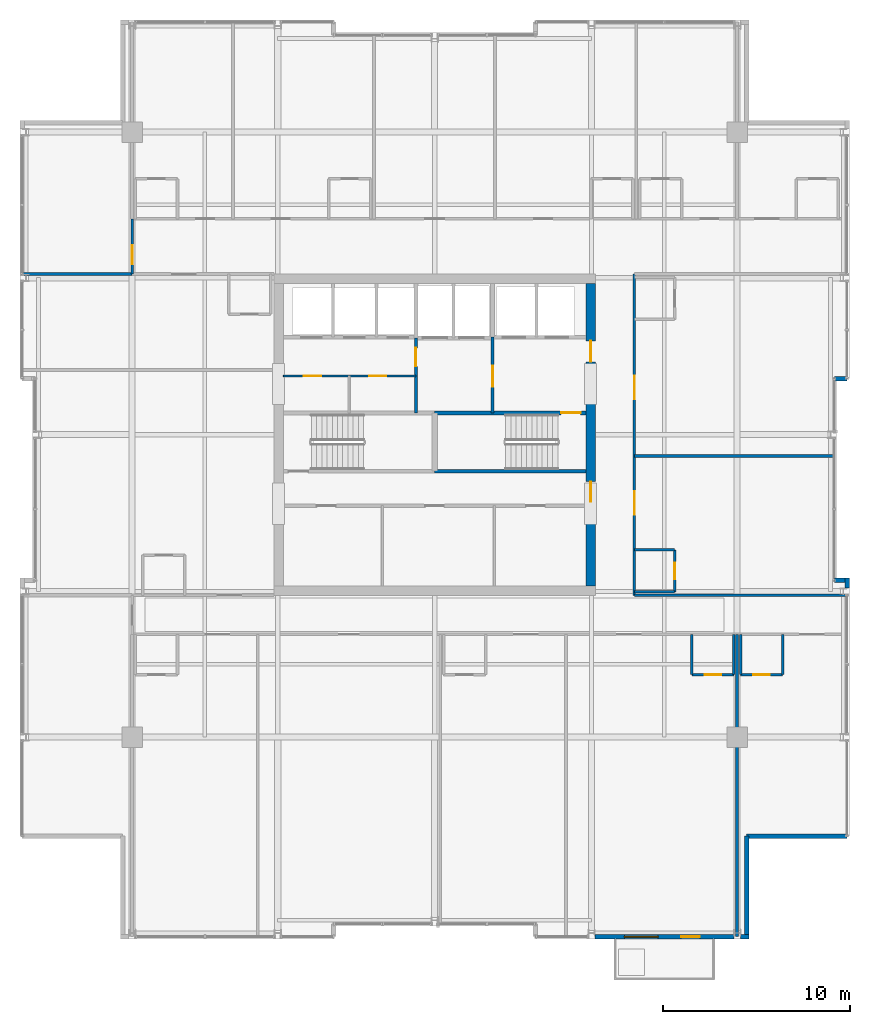
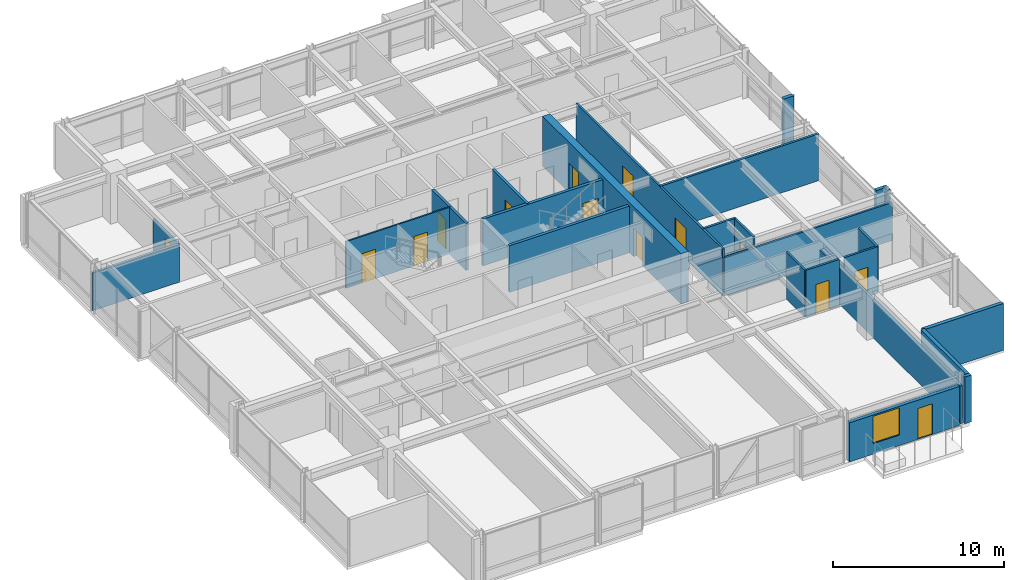
# One storey, part 27 of 32: 28 walls, 14 doors, 1 window, 15 openings.
"""IFC4 building model written with IfcOpenShell, lengths in metres."""

from ifc_helpers import new_model, si_unit, direction, frame, frame_2d, origin, place, context, subcontext, project, spatial, rectangle, extrude, material, layer, layer_set, type_object, element, fill, save


model = new_model("IFC4")

# Units and contexts
model_context = context("Model", 3, precision=1e-05, world=origin(), true_north=direction((0.0, 1.0)))
body_context = subcontext(model_context, "Body", "Model", "MODEL_VIEW")
ifc_project = project(units=[si_unit("LENGTHUNIT", "METRE"), si_unit("AREAUNIT", "SQUARE_METRE"), si_unit("VOLUMEUNIT", "CUBIC_METRE"), si_unit("PLANEANGLEUNIT", "RADIAN"), si_unit("MASSUNIT", "GRAM", prefix="KILO")], contexts=[model_context])

# Site, building, storey
site_placement = place(None, origin())
site = spatial("IfcSite", under=ifc_project, at=site_placement, CompositionType="ELEMENT")
building_placement = place(site_placement, origin())
building = spatial("IfcBuilding", under=site, at=building_placement, Name="Drelvath Grand Hotel", CompositionType="ELEMENT")
storey_placement = place(building_placement, frame((0.0, 0.0, 241.10009765625)))
storey = spatial("IfcBuildingStorey", under=building, at=storey_placement, Name="L63", CompositionType="ELEMENT", Elevation=241.10009765625)

# Wall, openings, doors
ifc_material_1 = material(Name="Gypsum Partition Board")
ifc_layer_1 = layer(ifc_material_1, 0.10009765625)
ifc_layer_set_1 = layer_set([ifc_layer_1], Name="Gypsum Partition Board")
wall_type_1 = type_object("IfcWallType", Name="Core Closet Partition 100", PredefinedType="PARTITIONING", material=ifc_layer_set_1)
wall_1_placement = place(storey_placement, frame((-8.10009765625, 30.139892578125, 0.0), z_axis=(0.0, 0.0, 1.0), x_axis=(1.0, 0.0, 0.0)))
wall_1 = element("IfcWall", 1, at=wall_1_placement, inside=storey, type_object=wall_type_1, Name="L63 High-Rise Lobby Closet Wall", PredefinedType="PARTITIONING", context=body_context, shape_type="SweptSolid", body=[
    extrude(rectangle(XDim=7.10009765625, YDim=0.10009765625, at=frame_2d((3.550048828125, 0.0))), origin(), (0.0, 0.0, 1.0), 3.33984375),
])
opening_1_placement = place(wall_1_placement, frame((1.10009765625, 0.0, 0.0)))
opening_1 = element("IfcOpeningElement", 2, at=opening_1_placement, cuts=wall_1, Name="Opening D-T4G4-013", PredefinedType="OPENING", context=body_context, shape_type="SweptSolid", body=[
    extrude(rectangle(XDim=0.919921875, YDim=2.10009765625, at=frame_2d((0.4599609375, 1.050048828125))), frame((0.0, 0.06005859375, 0.0), z_axis=(0.0, -1.0, 0.0), x_axis=(1.0, 0.0, 0.0)), (0.0, 0.0, 1.0), 0.1201171875),
])
opening_2_placement = place(wall_1_placement, frame((4.60009765625, 0.0, 0.0)))
opening_2 = element("IfcOpeningElement", 3, at=opening_2_placement, cuts=wall_1, Name="Opening D-T4G4-014", PredefinedType="OPENING", context=body_context, shape_type="SweptSolid", body=[
    extrude(rectangle(XDim=0.919921875, YDim=2.10009765625, at=frame_2d((0.4599609375, 1.050048828125))), frame((0.0, 0.06005859375, 0.0), z_axis=(0.0, -1.0, 0.0), x_axis=(1.0, 0.0, 0.0)), (0.0, 0.0, 1.0), 0.1201171875),
])
ifc_material_2 = material(Name="Painted Steel S275", Category="steel")
door_type_1 = type_object("IfcDoorType", Name="Staff Utility Door 920x2100", OperationType="NOTDEFINED", PredefinedType="DOOR", material=ifc_material_2)
door_1_placement = place(opening_1_placement, origin())
door_1 = element("IfcDoor", 4, at=door_1_placement, inside=storey, type_object=door_type_1, Name="L63 Electrical Closet Door", OperationType="SINGLE_SWING_RIGHT", OverallHeight=2.10009765625, OverallWidth=0.919921875, PredefinedType="DOOR", context=body_context, shape_type="SweptSolid", body=[
    extrude(rectangle(XDim=0.919921875, YDim=2.10009765625, at=frame_2d((0.4599609375, 1.050048828125))), frame((0.0, 0.02490234375, 0.0), z_axis=(0.0, -1.0, 0.0), x_axis=(1.0, 0.0, 0.0)), (0.0, 0.0, 1.0), 0.050048828125),
])
fill(opening_1, door_1)
door_2_placement = place(opening_2_placement, origin())
door_2 = element("IfcDoor", 5, at=door_2_placement, inside=storey, type_object=door_type_1, Name="L63 Telecom Room Door", OperationType="SINGLE_SWING_LEFT", OverallHeight=2.10009765625, OverallWidth=0.919921875, PredefinedType="DOOR", context=body_context, shape_type="SweptSolid", body=[
    extrude(rectangle(XDim=0.919921875, YDim=2.10009765625, at=frame_2d((0.4599609375, 1.050048828125))), frame((0.0, 0.02490234375, 0.0), z_axis=(0.0, -1.0, 0.0), x_axis=(1.0, 0.0, 0.0)), (0.0, 0.0, 1.0), 0.050048828125),
])
fill(opening_2, door_2)

# Wall
ifc_material_3 = material(Name="Concrete C40/50", Category="concrete")
ifc_layer_2 = layer(ifc_material_3, 0.199951171875)
ifc_layer_set_2 = layer_set([ifc_layer_2], Name="Concrete C40/50")
wall_type_2 = type_object("IfcWallType", Name="Core Shaft Fire Wall 200", PredefinedType="SOLIDWALL", material=ifc_layer_set_2)
wall_2_placement = place(storey_placement, frame((0.0, 25.0400390625, 0.0), z_axis=(0.0, 0.0, 1.0), x_axis=(1.0, 0.0, 0.0)))
element("IfcWall", 6, at=wall_2_placement, inside=storey, type_object=wall_type_2, Name="L63 Stair ST-2 South Wall", PredefinedType="SOLIDWALL", context=body_context, shape_type="SweptSolid", body=[
    extrude(rectangle(XDim=8.10009765625, YDim=0.199951171875, at=frame_2d((4.050048828125, 0.0))), origin(), (0.0, 0.0, 1.0), 3.33984375),
])

# Wall, opening, door
wall_3_placement = place(storey_placement, frame((8.10009765625, 28.159912109375, 0.0), z_axis=(0.0, 0.0, 1.0), x_axis=(-1.0, 0.0, 0.0)))
wall_3 = element("IfcWall", 7, at=wall_3_placement, inside=storey, type_object=wall_type_2, Name="L63 Stair ST-2 North Wall", PredefinedType="SOLIDWALL", context=body_context, shape_type="SweptSolid", body=[
    extrude(rectangle(XDim=8.10009765625, YDim=0.199951171875, at=frame_2d((4.050048828125, 0.0))), origin(), (0.0, 0.0, 1.0), 3.33984375),
])
opening_3_placement = place(wall_3_placement, frame((0.280029296875, 0.0, 0.0)))
opening_3 = element("IfcOpeningElement", 8, at=opening_3_placement, cuts=wall_3, Name="Opening D-T4G4-002", PredefinedType="OPENING", context=body_context, shape_type="SweptSolid", body=[
    extrude(rectangle(XDim=1.050048828125, YDim=2.10009765625, at=frame_2d((0.52490234375, 1.050048828125))), frame((0.0, 0.10986328125, 0.0), z_axis=(0.0, -1.0, 0.0), x_axis=(1.0, 0.0, 0.0)), (0.0, 0.0, 1.0), 0.219970703125),
])
door_type_2 = type_object("IfcDoorType", Name="Tower Stairwell Fire Door 1050x2100", OperationType="NOTDEFINED", PredefinedType="DOOR", material=ifc_material_2)
door_3_placement = place(opening_3_placement, origin())
door_3 = element("IfcDoor", 9, at=door_3_placement, inside=storey, type_object=door_type_2, Name="L63 Exit Stair ST-2 Door", OperationType="SINGLE_SWING_LEFT", OverallHeight=2.10009765625, OverallWidth=1.050048828125, PredefinedType="DOOR", context=body_context, shape_type="SweptSolid", body=[
    extrude(rectangle(XDim=1.050048828125, YDim=2.10009765625, at=frame_2d((0.52490234375, 1.050048828125))), frame((0.0, 0.02490234375, 0.0), z_axis=(0.0, -1.0, 0.0), x_axis=(1.0, 0.0, 0.0)), (0.0, 0.0, 1.0), 0.050048828125),
])
fill(opening_3, door_3)

# Wall
ifc_material_4 = material(Name="Gypsum Fireboard Partition")
ifc_layer_3 = layer(ifc_material_4, 0.135009765625)
ifc_layer_set_3 = layer_set([ifc_layer_3], Name="Gypsum Fireboard Partition")
wall_type_3 = type_object("IfcWallType", Name="Corridor Fire Barrier Wall 135", PredefinedType="PARTITIONING", material=ifc_layer_set_3)
wall_4_placement = place(storey_placement, frame((10.699951171875, 18.39990234375, 0.0), z_axis=(0.0, 0.0, 1.0), x_axis=(1.0, 0.0, 0.0)))
element("IfcWall", 10, at=wall_4_placement, inside=storey, type_object=wall_type_3, Name="L63 South Gallery Inner East Wall", PredefinedType="PARTITIONING", context=body_context, shape_type="SweptSolid", body=[
    extrude(rectangle(XDim=11.380126953125, YDim=0.135009765625, at=frame_2d((5.68994140625, 0.0))), origin(), (0.0, 0.0, 1.0), 2.71728515625),
])

# Wall, openings, doors
wall_5_placement = place(storey_placement, frame((10.699951171875, 18.39990234375, 0.0), z_axis=(0.0, 0.0, 1.0), x_axis=(0.0, 1.0, 0.0)))
wall_5 = element("IfcWall", 11, at=wall_5_placement, inside=storey, type_object=wall_type_3, Name="L63 East Gallery Link Wall", PredefinedType="PARTITIONING", context=body_context, shape_type="SweptSolid", body=[
    extrude(rectangle(XDim=17.2001953125, YDim=0.135009765625, at=frame_2d((8.60009765625, 0.0))), origin(), (0.0, 0.0, 1.0), 3.33984375),
])
opening_4_placement = place(wall_5_placement, frame((4.311767578125, 0.0, 0.0)))
opening_4 = element("IfcOpeningElement", 12, at=opening_4_placement, cuts=wall_5, Name="Opening D-T4G4-042", PredefinedType="OPENING", context=body_context, shape_type="SweptSolid", body=[
    extrude(rectangle(XDim=1.260009765625, YDim=2.199951171875, at=frame_2d((0.6298828125, 1.10009765625))), frame((0.0, 0.077392578125, 0.0), z_axis=(0.0, -1.0, 0.0), x_axis=(1.0, 0.0, 0.0)), (0.0, 0.0, 1.0), 0.155029296875),
])
opening_5_placement = place(wall_5_placement, frame((10.481689453125, 0.0, 0.0)))
opening_5 = element("IfcOpeningElement", 13, at=opening_5_placement, cuts=wall_5, Name="Opening D-T4G4-044", PredefinedType="OPENING", context=body_context, shape_type="SweptSolid", body=[
    extrude(rectangle(XDim=1.260009765625, YDim=2.199951171875, at=frame_2d((0.6298828125, 1.10009765625))), frame((0.0, 0.077392578125, 0.0), z_axis=(0.0, -1.0, 0.0), x_axis=(1.0, 0.0, 0.0)), (0.0, 0.0, 1.0), 0.155029296875),
])
ifc_material_5 = material(Name="Hardwood Walnut Timber", Category="wood")
door_type_3 = type_object("IfcDoorType", Name="Suite Entrance Fire Door 1260x2200", OperationType="NOTDEFINED", PredefinedType="DOOR", material=ifc_material_5)
door_4_placement = place(opening_4_placement, origin())
door_4 = element("IfcDoor", 14, at=door_4_placement, inside=storey, type_object=door_type_3, Name="L63 Diplomatic Suite Entry Door", OperationType="SINGLE_SWING_LEFT", OverallHeight=2.199951171875, OverallWidth=1.260009765625, PredefinedType="DOOR", context=body_context, shape_type="SweptSolid", body=[
    extrude(rectangle(XDim=1.260009765625, YDim=2.199951171875, at=frame_2d((0.6298828125, 1.10009765625))), frame((0.0, 0.02490234375, 0.0), z_axis=(0.0, -1.0, 0.0), x_axis=(1.0, 0.0, 0.0)), (0.0, 0.0, 1.0), 0.050048828125),
])
fill(opening_4, door_4)
door_5_placement = place(opening_5_placement, origin())
door_5 = element("IfcDoor", 15, at=door_5_placement, inside=storey, type_object=door_type_3, Name="L63 Diplomatic Suite Entry Door", OperationType="SINGLE_SWING_LEFT", OverallHeight=2.199951171875, OverallWidth=1.260009765625, PredefinedType="DOOR", context=body_context, shape_type="SweptSolid", body=[
    extrude(rectangle(XDim=1.260009765625, YDim=2.199951171875, at=frame_2d((0.6298828125, 1.10009765625))), frame((0.0, 0.02490234375, 0.0), z_axis=(0.0, -1.0, 0.0), x_axis=(1.0, 0.0, 0.0)), (0.0, 0.0, 1.0), 0.050048828125),
])
fill(opening_5, door_5)

# Wall, opening, door
wall_6_placement = place(storey_placement, frame((-16.199951171875, 35.60009765625, 0.0), z_axis=(0.0, 0.0, 1.0), x_axis=(0.0, 1.0, 0.0)))
wall_6 = element("IfcWall", 16, at=wall_6_placement, inside=storey, type_object=wall_type_3, Name="L63 North Gallery West End", PredefinedType="PARTITIONING", context=body_context, shape_type="SweptSolid", body=[
    extrude(rectangle(XDim=2.949951171875, YDim=0.135009765625, at=frame_2d((1.47509765625, 0.0))), origin(), (0.0, 0.0, 1.0), 2.713623046875),
])
opening_6_placement = place(wall_6_placement, frame((0.52001953125, 0.0, 0.0)))
opening_6 = element("IfcOpeningElement", 17, at=opening_6_placement, cuts=wall_6, Name="Opening D-T4G4-020", PredefinedType="OPENING", context=body_context, shape_type="SweptSolid", body=[
    extrude(rectangle(XDim=1.02001953125, YDim=2.14990234375, at=frame_2d((0.510009765625, 1.074951171875))), frame((0.0, 0.077392578125, 0.0), z_axis=(0.0, -1.0, 0.0), x_axis=(1.0, 0.0, 0.0)), (0.0, 0.0, 1.0), 0.155029296875),
])
door_type_4 = type_object("IfcDoorType", Name="Amenity Meeting Fire Door 1020x2150", OperationType="NOTDEFINED", PredefinedType="DOOR", material=ifc_material_5)
door_6_placement = place(opening_6_placement, origin())
door_6 = element("IfcDoor", 18, at=door_6_placement, inside=storey, type_object=door_type_4, Name="L63 Corner Panorama Lounge Door", OperationType="SINGLE_SWING_LEFT", OverallHeight=2.14990234375, OverallWidth=1.02001953125, PredefinedType="DOOR", context=body_context, shape_type="SweptSolid", body=[
    extrude(rectangle(XDim=1.02001953125, YDim=2.14990234375, at=frame_2d((0.510009765625, 1.074951171875))), frame((0.0, 0.02490234375, 0.0), z_axis=(0.0, -1.0, 0.0), x_axis=(1.0, 0.0, 0.0)), (0.0, 0.0, 1.0), 0.050048828125),
])
fill(opening_6, door_6)

# Walls
ifc_material_6 = material(Name="Moisture-Resistant Gypsum Board")
ifc_layer_4 = layer(ifc_material_6, 0.139892578125)
ifc_layer_set_4 = layer_set([ifc_layer_4], Name="Moisture-Resistant Gypsum Board")
wall_type_4 = type_object("IfcWallType", Name="En-Suite Plumbing Wall 140", PredefinedType="PLUMBINGWALL", material=ifc_layer_set_4)
wall_7_placement = place(storey_placement, frame((16.3798828125, 16.300048828125, 0.0), z_axis=(0.0, 0.0, 1.0), x_axis=(0.0, -1.0, 0.0)))
element("IfcWall", 19, at=wall_7_placement, inside=storey, type_object=wall_type_4, Name="L63 En-Suite Left Wall", PredefinedType="PLUMBINGWALL", context=body_context, shape_type="SweptSolid", body=[
    extrude(rectangle(XDim=2.150146484375, YDim=0.139892578125, at=frame_2d((1.0751953125, 0.0))), origin(), (0.0, 0.0, 1.0), 2.713623046875),
])
wall_8_placement = place(storey_placement, frame((18.6298828125, 16.300048828125, 0.0), z_axis=(0.0, 0.0, 1.0), x_axis=(0.0, -1.0, 0.0)))
element("IfcWall", 20, at=wall_8_placement, inside=storey, type_object=wall_type_4, Name="L63 En-Suite Right Wall", PredefinedType="PLUMBINGWALL", context=body_context, shape_type="SweptSolid", body=[
    extrude(rectangle(XDim=2.150146484375, YDim=0.139892578125, at=frame_2d((1.0751953125, 0.0))), origin(), (0.0, 0.0, 1.0), 3.33984375),
])

# Wall, opening, door
wall_9_placement = place(storey_placement, frame((16.3798828125, 14.14990234375, 0.0), z_axis=(0.0, 0.0, 1.0), x_axis=(1.0, 0.0, 0.0)))
wall_9 = element("IfcWall", 21, at=wall_9_placement, inside=storey, type_object=wall_type_4, Name="L63 En-Suite Front Wall", PredefinedType="PLUMBINGWALL", context=body_context, shape_type="SweptSolid", body=[
    extrude(rectangle(XDim=2.25, YDim=0.139892578125, at=frame_2d((1.125, 0.0))), origin(), (0.0, 0.0, 1.0), 3.33984375),
])
opening_7_placement = place(wall_9_placement, frame((0.68505859375, 0.0, 0.0)))
opening_7 = element("IfcOpeningElement", 22, at=opening_7_placement, cuts=wall_9, Name="Opening D-T4G4-021", PredefinedType="OPENING", context=body_context, shape_type="SweptSolid", body=[
    extrude(rectangle(XDim=0.8798828125, YDim=2.10009765625, at=frame_2d((0.43994140625, 1.050048828125))), frame((0.0, 0.079833984375, 0.0), z_axis=(0.0, -1.0, 0.0), x_axis=(1.0, 0.0, 0.0)), (0.0, 0.0, 1.0), 0.159912109375),
])
door_type_5 = type_object("IfcDoorType", Name="En-Suite Bathroom Door 880x2100", OperationType="NOTDEFINED", PredefinedType="DOOR", material=ifc_material_5)
door_7_placement = place(opening_7_placement, origin())
door_7 = element("IfcDoor", 23, at=door_7_placement, inside=storey, type_object=door_type_5, Name="L63 En-Suite Bathroom Door", OperationType="SINGLE_SWING_RIGHT", OverallHeight=2.10009765625, OverallWidth=0.8798828125, PredefinedType="DOOR", context=body_context, shape_type="SweptSolid", body=[
    extrude(rectangle(XDim=0.8798828125, YDim=2.10009765625, at=frame_2d((0.43994140625, 1.050048828125))), frame((0.0, 0.02490234375, 0.0), z_axis=(0.0, -1.0, 0.0), x_axis=(1.0, 0.0, 0.0)), (0.0, 0.0, 1.0), 0.050048828125),
])
fill(opening_7, door_7)

# Walls
wall_10_placement = place(storey_placement, frame((13.77001953125, 16.300048828125, 0.0), z_axis=(0.0, 0.0, 1.0), x_axis=(0.0, -1.0, 0.0)))
element("IfcWall", 24, at=wall_10_placement, inside=storey, type_object=wall_type_4, Name="L63 En-Suite Left Wall", PredefinedType="PLUMBINGWALL", context=body_context, shape_type="SweptSolid", body=[
    extrude(rectangle(XDim=2.150146484375, YDim=0.139892578125, at=frame_2d((1.0751953125, 0.0))), origin(), (0.0, 0.0, 1.0), 3.33984375),
])
wall_11_placement = place(storey_placement, frame((16.02001953125, 16.300048828125, 0.0), z_axis=(0.0, 0.0, 1.0), x_axis=(0.0, -1.0, 0.0)))
element("IfcWall", 25, at=wall_11_placement, inside=storey, type_object=wall_type_4, Name="L63 En-Suite Right Wall", PredefinedType="PLUMBINGWALL", context=body_context, shape_type="SweptSolid", body=[
    extrude(rectangle(XDim=2.150146484375, YDim=0.139892578125, at=frame_2d((1.0751953125, 0.0))), origin(), (0.0, 0.0, 1.0), 2.713623046875),
])

# Wall, opening, door
wall_12_placement = place(storey_placement, frame((13.77001953125, 14.14990234375, 0.0), z_axis=(0.0, 0.0, 1.0), x_axis=(1.0, 0.0, 0.0)))
wall_12 = element("IfcWall", 26, at=wall_12_placement, inside=storey, type_object=wall_type_4, Name="L63 En-Suite Front Wall", PredefinedType="PLUMBINGWALL", context=body_context, shape_type="SweptSolid", body=[
    extrude(rectangle(XDim=2.25, YDim=0.139892578125, at=frame_2d((1.125, 0.0))), origin(), (0.0, 0.0, 1.0), 3.33984375),
])
opening_8_placement = place(wall_12_placement, frame((0.68505859375, 0.0, 0.0)))
opening_8 = element("IfcOpeningElement", 27, at=opening_8_placement, cuts=wall_12, Name="Opening D-T4G4-030", PredefinedType="OPENING", context=body_context, shape_type="SweptSolid", body=[
    extrude(rectangle(XDim=0.8798828125, YDim=2.10009765625, at=frame_2d((0.43994140625, 1.050048828125))), frame((0.0, 0.079833984375, 0.0), z_axis=(0.0, -1.0, 0.0), x_axis=(1.0, 0.0, 0.0)), (0.0, 0.0, 1.0), 0.159912109375),
])
door_8_placement = place(opening_8_placement, origin())
door_8 = element("IfcDoor", 28, at=door_8_placement, inside=storey, type_object=door_type_5, Name="L63 En-Suite Bathroom Door", OperationType="SINGLE_SWING_LEFT", OverallHeight=2.10009765625, OverallWidth=0.8798828125, PredefinedType="DOOR", context=body_context, shape_type="SweptSolid", body=[
    extrude(rectangle(XDim=0.8798828125, YDim=2.10009765625, at=frame_2d((0.43994140625, 1.050048828125))), frame((0.0, 0.02490234375, 0.0), z_axis=(0.0, -1.0, 0.0), x_axis=(1.0, 0.0, 0.0)), (0.0, 0.0, 1.0), 0.050048828125),
])
fill(opening_8, door_8)

# Walls
wall_13_placement = place(storey_placement, frame((10.699951171875, 18.580078125, 0.0), z_axis=(0.0, 0.0, 1.0), x_axis=(1.0, 0.0, 0.0)))
element("IfcWall", 29, at=wall_13_placement, inside=storey, type_object=wall_type_4, Name="L63 En-Suite Left Wall", PredefinedType="PLUMBINGWALL", context=body_context, shape_type="SweptSolid", body=[
    extrude(rectangle(XDim=2.150146484375, YDim=0.139892578125, at=frame_2d((1.0751953125, 0.0))), origin(), (0.0, 0.0, 1.0), 2.71728515625),
])
wall_14_placement = place(storey_placement, frame((10.699951171875, 20.830078125, 0.0), z_axis=(0.0, 0.0, 1.0), x_axis=(1.0, 0.0, 0.0)))
element("IfcWall", 30, at=wall_14_placement, inside=storey, type_object=wall_type_4, Name="L63 En-Suite Right Wall", PredefinedType="PLUMBINGWALL", context=body_context, shape_type="SweptSolid", body=[
    extrude(rectangle(XDim=2.150146484375, YDim=0.139892578125, at=frame_2d((1.0751953125, 0.0))), origin(), (0.0, 0.0, 1.0), 3.33984375),
])

# Wall, opening, door
wall_15_placement = place(storey_placement, frame((12.85009765625, 18.580078125, 0.0), z_axis=(0.0, 0.0, 1.0), x_axis=(0.0, 1.0, 0.0)))
wall_15 = element("IfcWall", 31, at=wall_15_placement, inside=storey, type_object=wall_type_4, Name="L63 En-Suite Front Wall", PredefinedType="PLUMBINGWALL", context=body_context, shape_type="SweptSolid", body=[
    extrude(rectangle(XDim=2.25, YDim=0.139892578125, at=frame_2d((1.125, 0.0))), origin(), (0.0, 0.0, 1.0), 3.33984375),
])
opening_9_placement = place(wall_15_placement, frame((0.68505859375, 0.0, 0.0)))
opening_9 = element("IfcOpeningElement", 32, at=opening_9_placement, cuts=wall_15, Name="Opening D-T4G4-041", PredefinedType="OPENING", context=body_context, shape_type="SweptSolid", body=[
    extrude(rectangle(XDim=0.8798828125, YDim=2.10009765625, at=frame_2d((0.43994140625, 1.050048828125))), frame((0.0, 0.079833984375, 0.0), z_axis=(0.0, -1.0, 0.0), x_axis=(1.0, 0.0, 0.0)), (0.0, 0.0, 1.0), 0.159912109375),
])
door_9_placement = place(opening_9_placement, origin())
door_9 = element("IfcDoor", 33, at=door_9_placement, inside=storey, type_object=door_type_5, Name="L63 En-Suite Bathroom Door", OperationType="SINGLE_SWING_RIGHT", OverallHeight=2.10009765625, OverallWidth=0.8798828125, PredefinedType="DOOR", context=body_context, shape_type="SweptSolid", body=[
    extrude(rectangle(XDim=0.8798828125, YDim=2.10009765625, at=frame_2d((0.43994140625, 1.050048828125))), frame((0.0, 0.02490234375, 0.0), z_axis=(0.0, -1.0, 0.0), x_axis=(1.0, 0.0, 0.0)), (0.0, 0.0, 1.0), 0.050048828125),
])
fill(opening_9, door_9)

ifc_layer_5 = layer(ifc_material_4, 0.179931640625)
ifc_layer_set_5 = layer_set([ifc_layer_5], Name="Gypsum Fireboard Partition")
wall_type_5 = type_object("IfcWallType", Name="FSAE Smoke Lobby Fire Wall 180", PredefinedType="SOLIDWALL", material=ifc_layer_set_5)
wall_16_placement = place(storey_placement, frame((3.10009765625, 28.159912109375, 0.0), z_axis=(0.0, 0.0, 1.0), x_axis=(0.0, 1.0, 0.0)))
wall_16 = element("IfcWall", 34, at=wall_16_placement, inside=storey, type_object=wall_type_5, Name="L63 FSAE Smoke Lobby West Wall", PredefinedType="SOLIDWALL", context=body_context, shape_type="SweptSolid", body=[
    extrude(rectangle(XDim=4.06005859375, YDim=0.179931640625, at=frame_2d((2.030029296875, 0.0))), origin(), (0.0, 0.0, 1.0), 3.33984375),
])
opening_10_placement = place(wall_16_placement, frame((1.39990234375, 0.0, 0.0)))
opening_10 = element("IfcOpeningElement", 35, at=opening_10_placement, cuts=wall_16, Name="Opening D-T4G4-005", PredefinedType="OPENING", context=body_context, shape_type="SweptSolid", body=[
    extrude(rectangle(XDim=1.1201171875, YDim=2.10009765625, at=frame_2d((0.56005859375, 1.050048828125))), frame((0.0, 0.099853515625, 0.0), z_axis=(0.0, -1.0, 0.0), x_axis=(1.0, 0.0, 0.0)), (0.0, 0.0, 1.0), 0.199951171875),
])
door_type_6 = type_object("IfcDoorType", Name="FSAE Smoke Lobby Fire Door 1120x2100", OperationType="NOTDEFINED", PredefinedType="DOOR", material=ifc_material_2)
door_10_placement = place(opening_10_placement, origin())
door_10 = element("IfcDoor", 36, at=door_10_placement, inside=storey, type_object=door_type_6, Name="L63 FSAE Lobby Service Vestibule Door", OperationType="SINGLE_SWING_RIGHT", OverallHeight=2.10009765625, OverallWidth=1.1201171875, PredefinedType="DOOR", context=body_context, shape_type="SweptSolid", body=[
    extrude(rectangle(XDim=1.1201171875, YDim=2.10009765625, at=frame_2d((0.56005859375, 1.050048828125))), frame((0.0, 0.02490234375, 0.0), z_axis=(0.0, -1.0, 0.0), x_axis=(1.0, 0.0, 0.0)), (0.0, 0.0, 1.0), 0.050048828125),
])
fill(opening_10, door_10)

wall_17_placement = place(storey_placement, frame((-1.0, 28.159912109375, 0.0), z_axis=(0.0, 0.0, 1.0), x_axis=(0.0, 1.0, 0.0)))
wall_17 = element("IfcWall", 37, at=wall_17_placement, inside=storey, type_object=wall_type_5, Name="L63 Service Vestibule West Wall", PredefinedType="SOLIDWALL", context=body_context, shape_type="SweptSolid", body=[
    extrude(rectangle(XDim=4.02001953125, YDim=0.179931640625, at=frame_2d((2.010009765625, 0.0))), origin(), (0.0, 0.0, 1.0), 3.33984375),
])
opening_11_placement = place(wall_17_placement, frame((2.489990234375, 0.0, 0.0)))
opening_11 = element("IfcOpeningElement", 38, at=opening_11_placement, cuts=wall_17, Name="Opening D-T4G4-009", PredefinedType="OPENING", context=body_context, shape_type="SweptSolid", body=[
    extrude(rectangle(XDim=1.0, YDim=2.10009765625, at=frame_2d((0.5, 1.050048828125))), frame((0.0, 0.099853515625, 0.0), z_axis=(0.0, -1.0, 0.0), x_axis=(1.0, 0.0, 0.0)), (0.0, 0.0, 1.0), 0.199951171875),
])
door_type_7 = type_object("IfcDoorType", Name="Core Service Fire Door 1000x2100", OperationType="NOTDEFINED", PredefinedType="DOOR", material=ifc_material_2)
door_11_placement = place(opening_11_placement, origin())
door_11 = element("IfcDoor", 39, at=door_11_placement, inside=storey, type_object=door_type_7, Name="L63 Service Vestibule West Door", OperationType="SINGLE_SWING_LEFT", OverallHeight=2.10009765625, OverallWidth=1.0, PredefinedType="DOOR", context=body_context, shape_type="SweptSolid", body=[
    extrude(rectangle(XDim=1.0, YDim=2.10009765625, at=frame_2d((0.5, 1.050048828125))), frame((0.0, 0.02490234375, 0.0), z_axis=(0.0, -1.0, 0.0), x_axis=(1.0, 0.0, 0.0)), (0.0, 0.0, 1.0), 0.050048828125),
])
fill(opening_11, door_11)

# Walls
ifc_material_7 = material(Name="Gypsum Acoustic Partition")
ifc_layer_6 = layer(ifc_material_7, 0.14990234375)
ifc_layer_set_6 = layer_set([ifc_layer_6], Name="Gypsum Acoustic Partition")
wall_type_6 = type_object("IfcWallType", Name="Guestroom Demising Wall 150", PredefinedType="PARTITIONING", material=ifc_layer_set_6)
wall_18_placement = place(storey_placement, frame((10.699951171875, 25.853271484375, 0.0), z_axis=(0.0, 0.0, 1.0), x_axis=(1.0, 0.0, 0.0)))
element("IfcWall", 40, at=wall_18_placement, inside=storey, type_object=wall_type_6, Name="L63 East Demising 1", PredefinedType="PARTITIONING", context=body_context, shape_type="SweptSolid", body=[
    extrude(rectangle(XDim=10.699951171875, YDim=0.14990234375, at=frame_2d((5.35009765625, 0.0))), origin(), (0.0, 0.0, 1.0), 3.33984375),
])
ifc_layer_7 = layer(ifc_material_7, 0.1650390625)
ifc_layer_set_7 = layer_set([ifc_layer_7], Name="Gypsum Acoustic Partition")
wall_type_7 = type_object("IfcWallType", Name="Suite Demising Wall 165", PredefinedType="PARTITIONING", material=ifc_layer_set_7)
wall_19_placement = place(storey_placement, frame((16.199951171875, 0.1201171875, 0.0), z_axis=(0.0, 0.0, 1.0), x_axis=(0.0, 1.0, 0.0)))
element("IfcWall", 41, at=wall_19_placement, inside=storey, type_object=wall_type_7, Name="L63 SE Suite Wall", PredefinedType="PARTITIONING", context=body_context, shape_type="SweptSolid", body=[
    extrude(rectangle(XDim=16.179931640625, YDim=0.1650390625, at=frame_2d((8.08984375, 0.0))), origin(), (0.0, 0.0, 1.0), 2.713623046875),
])
wall_20_placement = place(storey_placement, frame((-22.080078125, 35.60009765625, 0.0), z_axis=(0.0, 0.0, 1.0), x_axis=(1.0, 0.0, 0.0)))
element("IfcWall", 42, at=wall_20_placement, inside=storey, type_object=wall_type_7, Name="L63 NW Corner South Wall", PredefinedType="PARTITIONING", context=body_context, shape_type="SweptSolid", body=[
    extrude(rectangle(XDim=5.880126953125, YDim=0.1650390625, at=frame_2d((2.93994140625, 0.0))), origin(), (0.0, 0.0, 1.0), 2.713623046875),
])
ifc_material_8 = material(Name="Pale-Metal Insulated Aluminium Spandrel Assembly", Category="aluminium")
ifc_layer_8 = layer(ifc_material_8, 0.239990234375)
ifc_layer_set_8 = layer_set([ifc_layer_8], Name="Pale-Metal Insulated Aluminium Spandrel Assembly")
wall_type_8 = type_object("IfcWallType", Name="Tower Insulated Metal Spandrel Closure Wall 240", PredefinedType="STANDARD", material=ifc_layer_set_8)
wall_21_placement = place(storey_placement, frame((22.080078125, 19.320068359375, 0.0), z_axis=(0.0, 0.0, 1.0), x_axis=(0.0, -1.0, 0.0)))
element("IfcWall", 43, at=wall_21_placement, inside=storey, type_object=wall_type_8, Name="L63 Corner Pier Spandrel Wall ES3", PredefinedType="STANDARD", context=body_context, shape_type="SweptSolid", body=[
    extrude(rectangle(XDim=0.541748046875, YDim=0.239990234375, at=frame_2d((0.27099609375, 0.0))), origin(), (0.0, 0.0, 1.0), 3.33984375),
])

# Wall, openings, window, door
wall_22_placement = place(storey_placement, frame((16.021728515625, 0.1201171875, 0.0), z_axis=(0.0, 0.0, 1.0), x_axis=(-1.0, 0.0, 0.0)))
wall_22 = element("IfcWall", 44, at=wall_22_placement, inside=storey, type_object=wall_type_8, Name="L63 Exterior Terrace Door Bay Wall SE2", PredefinedType="STANDARD", context=body_context, shape_type="SweptSolid", body=[
    extrude(rectangle(XDim=7.443603515625, YDim=0.239990234375, at=frame_2d((3.7216796875, 0.0))), origin(), (0.0, 0.0, 1.0), 2.80322265625),
])
opening_12_placement = place(wall_22_placement, frame((1.82177734375, 0.0, 0.0)))
opening_12 = element("IfcOpeningElement", 45, at=opening_12_placement, cuts=wall_22, Name="Opening TD-1000", PredefinedType="OPENING", context=body_context, shape_type="SweptSolid", body=[
    extrude(rectangle(XDim=1.0, YDim=2.199951171875, at=frame_2d((0.5, 1.10009765625))), frame((0.0, 0.1298828125, 0.0), z_axis=(0.0, -1.0, 0.0), x_axis=(1.0, 0.0, 0.0)), (0.0, 0.0, 1.0), 0.260009765625),
])
opening_13_placement = place(wall_22_placement, frame((4.056640625, 0.0, 0.75)))
opening_13 = element("IfcOpeningElement", 46, at=opening_13_placement, cuts=wall_22, Name="Opening W-02", PredefinedType="OPENING", context=body_context, shape_type="SweptSolid", body=[
    extrude(rectangle(XDim=1.800048828125, YDim=1.953369140625, at=frame_2d((0.89990234375, 0.9765625))), frame((0.0, 0.1298828125, 0.0), z_axis=(0.0, -1.0, 0.0), x_axis=(1.0, 0.0, 0.0)), (0.0, 0.0, 1.0), 0.260009765625),
])
ifc_material_9 = material(Name="Bronze Anodised Low-E Triple Glazing", Category="glass")
window_type = type_object("IfcWindowType", Name="Chicago Double-Pane Podium Window 1800x2400", PartitioningType="DOUBLE_PANEL_VERTICAL", PredefinedType="WINDOW", material=ifc_material_9)
window_placement = place(opening_13_placement, origin())
window = element("IfcWindow", 47, at=window_placement, inside=storey, type_object=window_type, Name="L63 Terrace Bay Companion Window SE2", OverallHeight=1.953369140625, OverallWidth=1.800048828125, PartitioningType="SINGLE_PANEL", PredefinedType="WINDOW", context=body_context, shape_type="SweptSolid", body=[
    extrude(rectangle(XDim=1.800048828125, YDim=1.953369140625, at=frame_2d((0.89990234375, 0.9765625))), frame((0.0, 0.030029296875, 0.0), z_axis=(0.0, -1.0, 0.0), x_axis=(1.0, 0.0, 0.0)), (0.0, 0.0, 1.0), 0.06005859375),
])
fill(opening_13, window)
ifc_material_10 = material(Name="Anodised Aluminium Thermally Broken Glazed Door", Category="aluminium")
door_type_8 = type_object("IfcDoorType", Name="Terrace and Tree Balcony Glazed Door 1000x2200", OperationType="NOTDEFINED", PredefinedType="DOOR", material=ifc_material_10)
door_12_placement = place(opening_12_placement, origin())
door_12 = element("IfcDoor", 48, at=door_12_placement, inside=storey, type_object=door_type_8, Name="L63 Tree Balcony Door DOOR-L63-TBAL-1", OperationType="SINGLE_SWING_RIGHT", OverallHeight=2.199951171875, OverallWidth=1.0, PredefinedType="DOOR", context=body_context, shape_type="SweptSolid", body=[
    extrude(rectangle(XDim=1.0, YDim=2.199951171875, at=frame_2d((0.5, 1.10009765625))), frame((0.0, 0.02490234375, 0.0), z_axis=(0.0, -1.0, 0.0), x_axis=(1.0, 0.0, 0.0)), (0.0, 0.0, 1.0), 0.050048828125),
])
fill(opening_12, door_12)

# Walls
wall_23_placement = place(storey_placement, frame((16.820068359375, 0.1201171875, 0.0), z_axis=(0.0, 0.0, 1.0), x_axis=(-1.0, 0.0, 0.0)))
element("IfcWall", 49, at=wall_23_placement, inside=storey, type_object=wall_type_8, Name="L63 Corner Pier Spandrel Wall SE3", PredefinedType="STANDARD", context=body_context, shape_type="SweptSolid", body=[
    extrude(rectangle(XDim=0.44189453125, YDim=0.239990234375, at=frame_2d((0.220947265625, 0.0))), origin(), (0.0, 0.0, 1.0), 3.33984375),
])
wall_24_placement = place(storey_placement, frame((22.080078125, 5.5, 0.0), z_axis=(0.0, 0.0, 1.0), x_axis=(-1.0, 0.0, 0.0)))
element("IfcWall", 50, at=wall_24_placement, inside=storey, type_object=wall_type_8, Name="L63 Notched Corner Return Spandrel Wall CSE1", PredefinedType="STANDARD", context=body_context, shape_type="SweptSolid", body=[
    extrude(rectangle(XDim=5.380126953125, YDim=0.239990234375, at=frame_2d((2.68994140625, 0.0))), origin(), (0.0, 0.0, 1.0), 3.33984375),
])
wall_25_placement = place(storey_placement, frame((16.699951171875, 5.5, 0.0), z_axis=(0.0, 0.0, 1.0), x_axis=(0.0, -1.0, 0.0)))
element("IfcWall", 51, at=wall_25_placement, inside=storey, type_object=wall_type_8, Name="L63 Notched Corner Return Spandrel Wall CSE2", PredefinedType="STANDARD", context=body_context, shape_type="SweptSolid", body=[
    extrude(rectangle(XDim=5.260009765625, YDim=0.239990234375, at=frame_2d((2.6298828125, 0.0))), origin(), (0.0, 0.0, 1.0), 3.33984375),
])
wall_26_placement = place(storey_placement, frame((22.080078125, 30.0, 0.0), z_axis=(0.0, 0.0, 1.0), x_axis=(-1.0, 0.0, 0.0)))
element("IfcWall", 52, at=wall_26_placement, inside=storey, type_object=wall_type_8, Name="L63 Notched Corner Return Spandrel Wall RE1", PredefinedType="STANDARD", context=body_context, shape_type="SweptSolid", body=[
    extrude(rectangle(XDim=0.68017578125, YDim=0.239990234375, at=frame_2d((0.340087890625, 0.0))), origin(), (0.0, 0.0, 1.0), 3.33984375),
])
wall_27_placement = place(storey_placement, frame((21.39990234375, 19.199951171875, 0.0), z_axis=(0.0, 0.0, 1.0), x_axis=(1.0, 0.0, 0.0)))
element("IfcWall", 53, at=wall_27_placement, inside=storey, type_object=wall_type_8, Name="L63 Notched Corner Return Spandrel Wall RE2", PredefinedType="STANDARD", context=body_context, shape_type="SweptSolid", body=[
    extrude(rectangle(XDim=0.56005859375, YDim=0.239990234375, at=frame_2d((0.280029296875, 0.0))), origin(), (0.0, 0.0, 1.0), 3.33984375),
])

# Wall, openings, doors
ifc_material_11 = material(Name="Concrete f'c 55 MPa", Category="concrete")
ifc_layer_9 = layer(ifc_material_11, 0.5)
ifc_layer_set_9 = layer_set([ifc_layer_9], Name="Concrete f'c 55 MPa")
wall_type_9 = type_object("IfcWallType", Name="Upper Core RC Shear Wall 500", PredefinedType="SHEAR", material=ifc_layer_set_9)
wall_28_placement = place(storey_placement, frame((8.35009765625, 35.10009765625, 0.0), z_axis=(0.0, 0.0, 1.0), x_axis=(0.0, -1.0, 0.0)))
wall_28 = element("IfcWall", 54, at=wall_28_placement, inside=storey, type_object=wall_type_9, Name="L63 Central Core Shear Wall E", PredefinedType="SHEAR", context=body_context, shape_type="SweptSolid", body=[
    extrude(rectangle(XDim=16.2001953125, YDim=0.5, at=frame_2d((8.10009765625, 0.0))), origin(), (0.0, 0.0, 1.0), 3.599853515625),
])
opening_14_placement = place(wall_28_placement, frame((3.080078125, 0.0, 0.0)))
opening_14 = element("IfcOpeningElement", 55, at=opening_14_placement, cuts=wall_28, Name="Opening D-T4G4-006", PredefinedType="OPENING", context=body_context, shape_type="SweptSolid", body=[
    extrude(rectangle(XDim=1.1201171875, YDim=2.10009765625, at=frame_2d((0.56005859375, 1.050048828125))), frame((0.0, 0.260009765625, 0.0), z_axis=(0.0, -1.0, 0.0), x_axis=(1.0, 0.0, 0.0)), (0.0, 0.0, 1.0), 0.52001953125),
])
opening_15_placement = place(wall_28_placement, frame((10.6201171875, 0.0, 0.0)))
opening_15 = element("IfcOpeningElement", 56, at=opening_15_placement, cuts=wall_28, Name="Opening D-T4G4-015", PredefinedType="OPENING", context=body_context, shape_type="SweptSolid", body=[
    extrude(rectangle(XDim=1.080078125, YDim=2.0400390625, at=frame_2d((0.5400390625, 1.02001953125))), frame((0.0, 0.260009765625, 0.0), z_axis=(0.0, -1.0, 0.0), x_axis=(1.0, 0.0, 0.0)), (0.0, 0.0, 1.0), 0.52001953125),
])
door_type_9 = type_object("IfcDoorType", Name="Core Corridor Fire Door 1080x2100", OperationType="NOTDEFINED", PredefinedType="DOOR", material=ifc_material_2)
door_13_placement = place(opening_15_placement, origin())
door_13 = element("IfcDoor", 57, at=door_13_placement, inside=storey, type_object=door_type_9, Name="L63 Core Passage East Door", OperationType="SINGLE_SWING_RIGHT", OverallHeight=2.0400390625, OverallWidth=1.080078125, PredefinedType="DOOR", context=body_context, shape_type="SweptSolid", body=[
    extrude(rectangle(XDim=1.080078125, YDim=2.0400390625, at=frame_2d((0.5400390625, 1.02001953125))), frame((0.0, 0.02490234375, 0.0), z_axis=(0.0, -1.0, 0.0), x_axis=(1.0, 0.0, 0.0)), (0.0, 0.0, 1.0), 0.050048828125),
])
fill(opening_15, door_13)
door_14_placement = place(opening_14_placement, origin())
door_14 = element("IfcDoor", 58, at=door_14_placement, inside=storey, type_object=door_type_6, Name="L63 FSAE Lobby East Corridor Door", OperationType="SINGLE_SWING_LEFT", OverallHeight=2.10009765625, OverallWidth=1.1201171875, PredefinedType="DOOR", context=body_context, shape_type="SweptSolid", body=[
    extrude(rectangle(XDim=1.1201171875, YDim=2.10009765625, at=frame_2d((0.56005859375, 1.050048828125))), frame((0.0, 0.02490234375, 0.0), z_axis=(0.0, -1.0, 0.0), x_axis=(1.0, 0.0, 0.0)), (0.0, 0.0, 1.0), 0.050048828125),
])
fill(opening_14, door_14)

save(model, "model.ifc")
